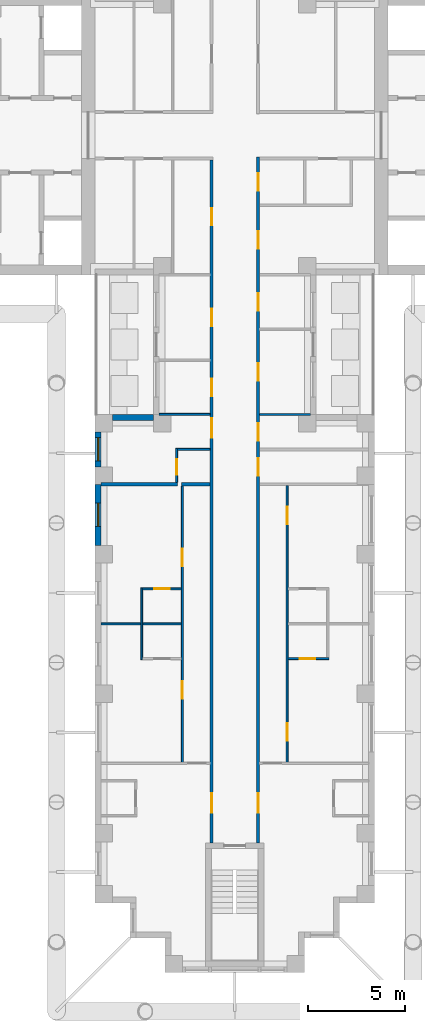
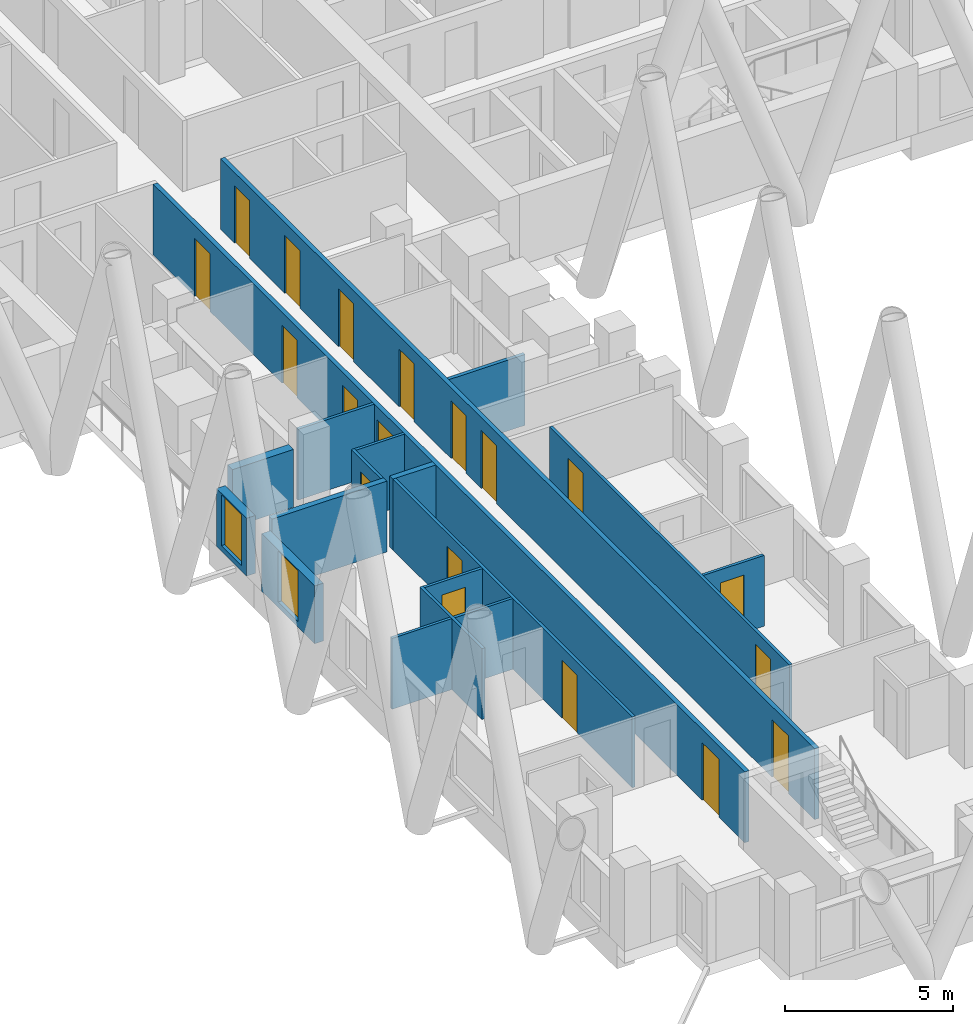
# One storey, part 5 of 17: 19 doors, 17 walls, 2 windows, 21 openings.
"""IFC4 building model written with IfcOpenShell, lengths in metres."""

from ifc_helpers import new_model, si_unit, direction, frame, frame_2d, origin, place, context, subcontext, project, spatial, rectangle, extrude, material, layer, layer_set, type_object, element, fill, save


model = new_model("IFC4")

# Units and contexts
model_context = context("Model", 3, precision=1e-05, world=origin(), true_north=direction((0.0, 1.0)))
body_context = subcontext(model_context, "Body", "Model", "MODEL_VIEW")
ifc_project = project(units=[si_unit("LENGTHUNIT", "METRE"), si_unit("AREAUNIT", "SQUARE_METRE"), si_unit("VOLUMEUNIT", "CUBIC_METRE"), si_unit("PLANEANGLEUNIT", "RADIAN"), si_unit("MASSUNIT", "GRAM", prefix="KILO")], contexts=[model_context])

# Site, building, storey
site_placement = place(None, origin())
site = spatial("IfcSite", under=ifc_project, at=site_placement, CompositionType="ELEMENT")
building_placement = place(site_placement, origin())
building = spatial("IfcBuilding", under=site, at=building_placement, Name="Fustian Cross Tower", CompositionType="ELEMENT")
storey_placement = place(building_placement, frame((0.0, 0.0, 56.699951171875)))
storey = spatial("IfcBuildingStorey", under=building, at=storey_placement, Name="L17", CompositionType="ELEMENT", Elevation=56.699951171875)

# Wall, openings, doors
ifc_material_1 = material(Name="Plasterboard on steel stud", Category="steel")
ifc_layer_1 = layer(ifc_material_1, 0.14990234375)
ifc_layer_set_1 = layer_set([ifc_layer_1], Name="Plasterboard on steel stud")
wall_type_1 = type_object("IfcWallType", Name="COMPARTMENT WALL 150 EI 60", PredefinedType="PARTITIONING", material=ifc_layer_set_1)
wall_1_placement = place(storey_placement, frame((-1.199951171875, -36.5, 0.0), z_axis=(0.0, 0.0, 1.0), x_axis=(0.0, 1.0, 0.0)))
wall_1 = element("IfcWall", 1, at=wall_1_placement, inside=storey, type_object=wall_type_1, Name="Partition 46", PredefinedType="PARTITIONING", context=body_context, shape_type="SweptSolid", body=[
    extrude(rectangle(XDim=35.22509765625, YDim=0.14990234375, at=frame_2d((17.612548828125, 0.0))), origin(), (0.0, 0.0, 1.0), 2.574951171875),
])
opening_1_placement = place(wall_1_placement, frame((31.85009765625, 0.0, 0.0)))
opening_1 = element("IfcOpeningElement", 2, at=opening_1_placement, cuts=wall_1, Name="Opening D09009", PredefinedType="OPENING", context=body_context, shape_type="SweptSolid", body=[
    extrude(rectangle(XDim=0.89990234375, YDim=2.10009765625, at=frame_2d((0.449951171875, 1.050048828125))), frame((0.0, 0.0849609375, 0.0), z_axis=(0.0, -1.0, 0.0), x_axis=(1.0, 0.0, 0.0)), (0.0, 0.0, 1.0), 0.169921875),
])
opening_2_placement = place(wall_1_placement, frame((23.050048828125, 0.0, 0.0)))
opening_2 = element("IfcOpeningElement", 3, at=opening_2_placement, cuts=wall_1, Name="Opening D09064", PredefinedType="OPENING", context=body_context, shape_type="SweptSolid", body=[
    extrude(rectangle(XDim=0.89990234375, YDim=2.10009765625, at=frame_2d((0.449951171875, 1.050048828125))), frame((0.0, 0.0849609375, 0.0), z_axis=(0.0, -1.0, 0.0), x_axis=(1.0, 0.0, 0.0)), (0.0, 0.0, 1.0), 0.169921875),
])
opening_3_placement = place(wall_1_placement, frame((26.64990234375, 0.0, 0.0)))
opening_3 = element("IfcOpeningElement", 4, at=opening_3_placement, cuts=wall_1, Name="Opening D09065", PredefinedType="OPENING", context=body_context, shape_type="SweptSolid", body=[
    extrude(rectangle(XDim=0.89990234375, YDim=2.10009765625, at=frame_2d((0.449951171875, 1.050048828125))), frame((0.0, 0.0849609375, 0.0), z_axis=(0.0, -1.0, 0.0), x_axis=(1.0, 0.0, 0.0)), (0.0, 0.0, 1.0), 0.169921875),
])
opening_4_placement = place(wall_1_placement, frame((20.89990234375, 0.0, 0.0)))
opening_4 = element("IfcOpeningElement", 5, at=opening_4_placement, cuts=wall_1, Name="Opening D09067", PredefinedType="OPENING", context=body_context, shape_type="SweptSolid", body=[
    extrude(rectangle(XDim=1.0, YDim=2.10009765625, at=frame_2d((0.5, 1.050048828125))), frame((0.0, 0.0849609375, 0.0), z_axis=(0.0, -1.0, 0.0), x_axis=(1.0, 0.0, 0.0)), (0.0, 0.0, 1.0), 0.169921875),
])
opening_5_placement = place(wall_1_placement, frame((1.550048828125, 0.0, 0.0)))
opening_5 = element("IfcOpeningElement", 6, at=opening_5_placement, cuts=wall_1, Name="Opening D09069", PredefinedType="OPENING", context=body_context, shape_type="SweptSolid", body=[
    extrude(rectangle(XDim=1.0, YDim=2.10009765625, at=frame_2d((0.5, 1.050048828125))), frame((0.0, 0.0849609375, 0.0), z_axis=(0.0, -1.0, 0.0), x_axis=(1.0, 0.0, 0.0)), (0.0, 0.0, 1.0), 0.169921875),
])
ifc_material_2 = material(Name="Timber fire door set", Category="wood")
door_type_1 = type_object("IfcDoorType", Name="FIRE SWING DOOR 1000 FD30S", OperationType="SINGLE_SWING_LEFT", PredefinedType="DOOR", material=ifc_material_2)
door_1_placement = place(opening_4_placement, origin())
door_1 = element("IfcDoor", 7, at=door_1_placement, inside=storey, type_object=door_type_1, Name="Door D09067", OperationType="SINGLE_SWING_RIGHT", OverallHeight=2.10009765625, OverallWidth=1.0, PredefinedType="DOOR", context=body_context, shape_type="SweptSolid", body=[
    extrude(rectangle(XDim=1.0, YDim=2.10009765625, at=frame_2d((0.5, 1.050048828125))), frame((0.0, 0.02490234375, 0.0), z_axis=(0.0, -1.0, 0.0), x_axis=(1.0, 0.0, 0.0)), (0.0, 0.0, 1.0), 0.050048828125),
])
fill(opening_4, door_1)
door_2_placement = place(opening_5_placement, origin())
door_2 = element("IfcDoor", 8, at=door_2_placement, inside=storey, type_object=door_type_1, Name="Door D09069", OperationType="SINGLE_SWING_RIGHT", OverallHeight=2.10009765625, OverallWidth=1.0, PredefinedType="DOOR", context=body_context, shape_type="SweptSolid", body=[
    extrude(rectangle(XDim=1.0, YDim=2.10009765625, at=frame_2d((0.5, 1.050048828125))), frame((0.0, 0.02490234375, 0.0), z_axis=(0.0, -1.0, 0.0), x_axis=(1.0, 0.0, 0.0)), (0.0, 0.0, 1.0), 0.050048828125),
])
fill(opening_5, door_2)
ifc_material_3 = material(Name="Timber fire door set", Category="wood")
door_type_2 = type_object("IfcDoorType", Name="FIRE SWING DOOR 900 FD30S", OperationType="SINGLE_SWING_LEFT", PredefinedType="DOOR", material=ifc_material_3)
door_3_placement = place(opening_1_placement, origin())
door_3 = element("IfcDoor", 9, at=door_3_placement, inside=storey, type_object=door_type_2, Name="Door D09009", OperationType="SINGLE_SWING_LEFT", OverallHeight=2.10009765625, OverallWidth=0.89990234375, PredefinedType="DOOR", context=body_context, shape_type="SweptSolid", body=[
    extrude(rectangle(XDim=0.89990234375, YDim=2.10009765625, at=frame_2d((0.449951171875, 1.050048828125))), frame((0.0, 0.02490234375, 0.0), z_axis=(0.0, -1.0, 0.0), x_axis=(1.0, 0.0, 0.0)), (0.0, 0.0, 1.0), 0.050048828125),
])
fill(opening_1, door_3)
door_4_placement = place(opening_2_placement, origin())
door_4 = element("IfcDoor", 10, at=door_4_placement, inside=storey, type_object=door_type_2, Name="Door D09064", OperationType="SINGLE_SWING_LEFT", OverallHeight=2.10009765625, OverallWidth=0.89990234375, PredefinedType="DOOR", context=body_context, shape_type="SweptSolid", body=[
    extrude(rectangle(XDim=0.89990234375, YDim=2.10009765625, at=frame_2d((0.449951171875, 1.050048828125))), frame((0.0, 0.02490234375, 0.0), z_axis=(0.0, -1.0, 0.0), x_axis=(1.0, 0.0, 0.0)), (0.0, 0.0, 1.0), 0.050048828125),
])
fill(opening_2, door_4)
door_5_placement = place(opening_3_placement, origin())
door_5 = element("IfcDoor", 11, at=door_5_placement, inside=storey, type_object=door_type_2, Name="Door D09065", OperationType="SINGLE_SWING_LEFT", OverallHeight=2.10009765625, OverallWidth=0.89990234375, PredefinedType="DOOR", context=body_context, shape_type="SweptSolid", body=[
    extrude(rectangle(XDim=0.89990234375, YDim=2.10009765625, at=frame_2d((0.449951171875, 1.050048828125))), frame((0.0, 0.02490234375, 0.0), z_axis=(0.0, -1.0, 0.0), x_axis=(1.0, 0.0, 0.0)), (0.0, 0.0, 1.0), 0.050048828125),
])
fill(opening_3, door_5)

wall_2_placement = place(storey_placement, frame((1.199951171875, -36.5, 0.0), z_axis=(0.0, 0.0, 1.0), x_axis=(0.0, 1.0, 0.0)))
wall_2 = element("IfcWall", 12, at=wall_2_placement, inside=storey, type_object=wall_type_1, Name="Partition 48", PredefinedType="PARTITIONING", context=body_context, shape_type="SweptSolid", body=[
    extrude(rectangle(XDim=35.375, YDim=0.14990234375, at=frame_2d((17.6875, 0.0))), origin(), (0.0, 0.0, 1.0), 2.574951171875),
])
opening_6_placement = place(wall_2_placement, frame((33.64990234375, 0.0, 0.0)))
opening_6 = element("IfcOpeningElement", 13, at=opening_6_placement, cuts=wall_2, Name="Opening D09006", PredefinedType="OPENING", context=body_context, shape_type="SweptSolid", body=[
    extrude(rectangle(XDim=0.89990234375, YDim=2.10009765625, at=frame_2d((0.449951171875, 1.050048828125))), frame((0.0, 0.0849609375, 0.0), z_axis=(0.0, -1.0, 0.0), x_axis=(1.0, 0.0, 0.0)), (0.0, 0.0, 1.0), 0.169921875),
])
opening_7_placement = place(wall_2_placement, frame((30.64990234375, 0.0, 0.0)))
opening_7 = element("IfcOpeningElement", 14, at=opening_7_placement, cuts=wall_2, Name="Opening D09008", PredefinedType="OPENING", context=body_context, shape_type="SweptSolid", body=[
    extrude(rectangle(XDim=0.89990234375, YDim=2.10009765625, at=frame_2d((0.449951171875, 1.050048828125))), frame((0.0, 0.0849609375, 0.0), z_axis=(0.0, -1.0, 0.0), x_axis=(1.0, 0.0, 0.0)), (0.0, 0.0, 1.0), 0.169921875),
])
opening_8_placement = place(wall_2_placement, frame((27.449951171875, 0.0, 0.0)))
opening_8 = element("IfcOpeningElement", 15, at=opening_8_placement, cuts=wall_2, Name="Opening D09053", PredefinedType="OPENING", context=body_context, shape_type="SweptSolid", body=[
    extrude(rectangle(XDim=0.89990234375, YDim=2.10009765625, at=frame_2d((0.449951171875, 1.050048828125))), frame((0.0, 0.0849609375, 0.0), z_axis=(0.0, -1.0, 0.0), x_axis=(1.0, 0.0, 0.0)), (0.0, 0.0, 1.0), 0.169921875),
])
opening_9_placement = place(wall_2_placement, frame((23.85009765625, 0.0, 0.0)))
opening_9 = element("IfcOpeningElement", 16, at=opening_9_placement, cuts=wall_2, Name="Opening D09054", PredefinedType="OPENING", context=body_context, shape_type="SweptSolid", body=[
    extrude(rectangle(XDim=0.89990234375, YDim=2.10009765625, at=frame_2d((0.449951171875, 1.050048828125))), frame((0.0, 0.0849609375, 0.0), z_axis=(0.0, -1.0, 0.0), x_axis=(1.0, 0.0, 0.0)), (0.0, 0.0, 1.0), 0.169921875),
])
opening_10_placement = place(wall_2_placement, frame((20.75, 0.0, 0.0)))
opening_10 = element("IfcOpeningElement", 17, at=opening_10_placement, cuts=wall_2, Name="Opening D09055", PredefinedType="OPENING", context=body_context, shape_type="SweptSolid", body=[
    extrude(rectangle(XDim=0.89990234375, YDim=2.10009765625, at=frame_2d((0.449951171875, 1.050048828125))), frame((0.0, 0.0849609375, 0.0), z_axis=(0.0, -1.0, 0.0), x_axis=(1.0, 0.0, 0.0)), (0.0, 0.0, 1.0), 0.169921875),
])
opening_11_placement = place(wall_2_placement, frame((18.949951171875, 0.0, 0.0)))
opening_11 = element("IfcOpeningElement", 18, at=opening_11_placement, cuts=wall_2, Name="Opening D09056", PredefinedType="OPENING", context=body_context, shape_type="SweptSolid", body=[
    extrude(rectangle(XDim=0.89990234375, YDim=2.10009765625, at=frame_2d((0.449951171875, 1.050048828125))), frame((0.0, 0.0849609375, 0.0), z_axis=(0.0, -1.0, 0.0), x_axis=(1.0, 0.0, 0.0)), (0.0, 0.0, 1.0), 0.169921875),
])
opening_12_placement = place(wall_2_placement, frame((1.550048828125, 0.0, 0.0)))
opening_12 = element("IfcOpeningElement", 19, at=opening_12_placement, cuts=wall_2, Name="Opening D09058", PredefinedType="OPENING", context=body_context, shape_type="SweptSolid", body=[
    extrude(rectangle(XDim=1.0, YDim=2.10009765625, at=frame_2d((0.5, 1.050048828125))), frame((0.0, 0.0849609375, 0.0), z_axis=(0.0, -1.0, 0.0), x_axis=(1.0, 0.0, 0.0)), (0.0, 0.0, 1.0), 0.169921875),
])
door_6_placement = place(opening_12_placement, frame((1.0, 0.0, 0.0), z_axis=(0.0, 0.0, 1.0), x_axis=(-1.0, 0.0, 0.0)))
door_6 = element("IfcDoor", 20, at=door_6_placement, inside=storey, type_object=door_type_1, Name="Door D09058", OperationType="SINGLE_SWING_LEFT", OverallHeight=2.10009765625, OverallWidth=1.0, PredefinedType="DOOR", context=body_context, shape_type="SweptSolid", body=[
    extrude(rectangle(XDim=1.0, YDim=2.10009765625, at=frame_2d((0.5, 1.050048828125))), frame((0.0, 0.02490234375, 0.0), z_axis=(0.0, -1.0, 0.0), x_axis=(1.0, 0.0, 0.0)), (0.0, 0.0, 1.0), 0.050048828125),
])
fill(opening_12, door_6)
door_7_placement = place(opening_6_placement, frame((0.89990234375, 0.0, 0.0), z_axis=(0.0, 0.0, 1.0), x_axis=(-1.0, 0.0, 0.0)))
door_7 = element("IfcDoor", 21, at=door_7_placement, inside=storey, type_object=door_type_2, Name="Door D09006", OperationType="SINGLE_SWING_RIGHT", OverallHeight=2.10009765625, OverallWidth=0.89990234375, PredefinedType="DOOR", context=body_context, shape_type="SweptSolid", body=[
    extrude(rectangle(XDim=0.89990234375, YDim=2.10009765625, at=frame_2d((0.449951171875, 1.050048828125))), frame((0.0, 0.02490234375, 0.0), z_axis=(0.0, -1.0, 0.0), x_axis=(1.0, 0.0, 0.0)), (0.0, 0.0, 1.0), 0.050048828125),
])
fill(opening_6, door_7)
door_8_placement = place(opening_7_placement, frame((0.89990234375, 0.0, 0.0), z_axis=(0.0, 0.0, 1.0), x_axis=(-1.0, 0.0, 0.0)))
door_8 = element("IfcDoor", 22, at=door_8_placement, inside=storey, type_object=door_type_2, Name="Door D09008", OperationType="SINGLE_SWING_RIGHT", OverallHeight=2.10009765625, OverallWidth=0.89990234375, PredefinedType="DOOR", context=body_context, shape_type="SweptSolid", body=[
    extrude(rectangle(XDim=0.89990234375, YDim=2.10009765625, at=frame_2d((0.449951171875, 1.050048828125))), frame((0.0, 0.02490234375, 0.0), z_axis=(0.0, -1.0, 0.0), x_axis=(1.0, 0.0, 0.0)), (0.0, 0.0, 1.0), 0.050048828125),
])
fill(opening_7, door_8)
door_9_placement = place(opening_8_placement, frame((0.89990234375, 0.0, 0.0), z_axis=(0.0, 0.0, 1.0), x_axis=(-1.0, 0.0, 0.0)))
door_9 = element("IfcDoor", 23, at=door_9_placement, inside=storey, type_object=door_type_2, Name="Door D09053", OperationType="SINGLE_SWING_RIGHT", OverallHeight=2.10009765625, OverallWidth=0.89990234375, PredefinedType="DOOR", context=body_context, shape_type="SweptSolid", body=[
    extrude(rectangle(XDim=0.89990234375, YDim=2.10009765625, at=frame_2d((0.449951171875, 1.050048828125))), frame((0.0, 0.02490234375, 0.0), z_axis=(0.0, -1.0, 0.0), x_axis=(1.0, 0.0, 0.0)), (0.0, 0.0, 1.0), 0.050048828125),
])
fill(opening_8, door_9)
door_10_placement = place(opening_9_placement, frame((0.89990234375, 0.0, 0.0), z_axis=(0.0, 0.0, 1.0), x_axis=(-1.0, 0.0, 0.0)))
door_10 = element("IfcDoor", 24, at=door_10_placement, inside=storey, type_object=door_type_2, Name="Door D09054", OperationType="SINGLE_SWING_RIGHT", OverallHeight=2.10009765625, OverallWidth=0.89990234375, PredefinedType="DOOR", context=body_context, shape_type="SweptSolid", body=[
    extrude(rectangle(XDim=0.89990234375, YDim=2.10009765625, at=frame_2d((0.449951171875, 1.050048828125))), frame((0.0, 0.02490234375, 0.0), z_axis=(0.0, -1.0, 0.0), x_axis=(1.0, 0.0, 0.0)), (0.0, 0.0, 1.0), 0.050048828125),
])
fill(opening_9, door_10)
door_11_placement = place(opening_10_placement, frame((0.89990234375, 0.0, 0.0), z_axis=(0.0, 0.0, 1.0), x_axis=(-1.0, 0.0, 0.0)))
door_11 = element("IfcDoor", 25, at=door_11_placement, inside=storey, type_object=door_type_2, Name="Door D09055", OperationType="SINGLE_SWING_LEFT", OverallHeight=2.10009765625, OverallWidth=0.89990234375, PredefinedType="DOOR", context=body_context, shape_type="SweptSolid", body=[
    extrude(rectangle(XDim=0.89990234375, YDim=2.10009765625, at=frame_2d((0.449951171875, 1.050048828125))), frame((0.0, 0.02490234375, 0.0), z_axis=(0.0, -1.0, 0.0), x_axis=(1.0, 0.0, 0.0)), (0.0, 0.0, 1.0), 0.050048828125),
])
fill(opening_10, door_11)
door_12_placement = place(opening_11_placement, frame((0.89990234375, 0.0, 0.0), z_axis=(0.0, 0.0, 1.0), x_axis=(-1.0, 0.0, 0.0)))
door_12 = element("IfcDoor", 26, at=door_12_placement, inside=storey, type_object=door_type_2, Name="Door D09056", OperationType="SINGLE_SWING_LEFT", OverallHeight=2.10009765625, OverallWidth=0.89990234375, PredefinedType="DOOR", context=body_context, shape_type="SweptSolid", body=[
    extrude(rectangle(XDim=0.89990234375, YDim=2.10009765625, at=frame_2d((0.449951171875, 1.050048828125))), frame((0.0, 0.02490234375, 0.0), z_axis=(0.0, -1.0, 0.0), x_axis=(1.0, 0.0, 0.0)), (0.0, 0.0, 1.0), 0.050048828125),
])
fill(opening_11, door_12)

# Walls
ifc_material_4 = material(Name="Plasterboard on steel stud", Category="steel")
ifc_layer_2 = layer(ifc_material_4, 0.10009765625)
ifc_layer_set_2 = layer_set([ifc_layer_2], Name="Plasterboard on steel stud")
wall_type_2 = type_object("IfcWallType", Name="PARTITION 100 STUD", PredefinedType="PARTITIONING", material=ifc_layer_set_2)
wall_3_placement = place(storey_placement, frame((-6.89990234375, -25.199951171875, 0.0), z_axis=(0.0, 0.0, 1.0), x_axis=(1.0, 0.0, 0.0)))
element("IfcWall", 27, at=wall_3_placement, inside=storey, type_object=wall_type_2, Name="Partition 17", PredefinedType="PARTITIONING", context=body_context, shape_type="SweptSolid", body=[
    extrude(rectangle(XDim=4.14990234375, YDim=0.10009765625, at=frame_2d((2.074951171875, 0.0))), origin(), (0.0, 0.0, 1.0), 2.574951171875),
])
wall_4_placement = place(storey_placement, frame((-4.800048828125, -27.050048828125, 0.0), z_axis=(0.0, 0.0, 1.0), x_axis=(0.0, 1.0, 0.0)))
element("IfcWall", 28, at=wall_4_placement, inside=storey, type_object=wall_type_2, Name="Partition 25", PredefinedType="PARTITIONING", context=body_context, shape_type="SweptSolid", body=[
    extrude(rectangle(XDim=3.699951171875, YDim=0.10009765625, at=frame_2d((1.85009765625, 0.0))), origin(), (0.0, 0.0, 1.0), 2.574951171875),
])

# Wall, opening, door
wall_5_placement = place(storey_placement, frame((-4.75, -23.39990234375, 0.0), z_axis=(0.0, 0.0, 1.0), x_axis=(1.0, 0.0, 0.0)))
wall_5 = element("IfcWall", 29, at=wall_5_placement, inside=storey, type_object=wall_type_2, Name="Partition 27", PredefinedType="PARTITIONING", context=body_context, shape_type="SweptSolid", body=[
    extrude(rectangle(XDim=2.0, YDim=0.10009765625, at=frame_2d((1.0, 0.0))), origin(), (0.0, 0.0, 1.0), 2.574951171875),
])
opening_13_placement = place(wall_5_placement, frame((0.60009765625, 0.0, 0.0)))
opening_13 = element("IfcOpeningElement", 30, at=opening_13_placement, cuts=wall_5, Name="Opening D09073", PredefinedType="OPENING", context=body_context, shape_type="SweptSolid", body=[
    extrude(rectangle(XDim=0.800048828125, YDim=2.10009765625, at=frame_2d((0.39990234375, 1.050048828125))), frame((0.0, 0.06005859375, 0.0), z_axis=(0.0, -1.0, 0.0), x_axis=(1.0, 0.0, 0.0)), (0.0, 0.0, 1.0), 0.1201171875),
])
ifc_material_5 = material(Name="Painted timber", Category="wood")
door_type_3 = type_object("IfcDoorType", Name="SWING DOOR 800", OperationType="SINGLE_SWING_LEFT", PredefinedType="DOOR", material=ifc_material_5)
door_13_placement = place(opening_13_placement, frame((0.800048828125, 0.0, 0.0), z_axis=(0.0, 0.0, 1.0), x_axis=(-1.0, 0.0, 0.0)))
door_13 = element("IfcDoor", 31, at=door_13_placement, inside=storey, type_object=door_type_3, Name="Door D09073", OperationType="SINGLE_SWING_RIGHT", OverallHeight=2.10009765625, OverallWidth=0.800048828125, PredefinedType="DOOR", context=body_context, shape_type="SweptSolid", body=[
    extrude(rectangle(XDim=0.800048828125, YDim=2.10009765625, at=frame_2d((0.39990234375, 1.050048828125))), frame((0.0, 0.02490234375, 0.0), z_axis=(0.0, -1.0, 0.0), x_axis=(1.0, 0.0, 0.0)), (0.0, 0.0, 1.0), 0.050048828125),
])
fill(opening_13, door_13)

# Wall
wall_6_placement = place(storey_placement, frame((-3.89990234375, -14.39990234375, 0.0), z_axis=(0.0, 0.0, 1.0), x_axis=(1.0, 0.0, 0.0)))
element("IfcWall", 32, at=wall_6_placement, inside=storey, type_object=wall_type_2, Name="Partition 28", PredefinedType="PARTITIONING", context=body_context, shape_type="SweptSolid", body=[
    extrude(rectangle(XDim=2.625, YDim=0.10009765625, at=frame_2d((1.3125, 0.0))), origin(), (0.0, 0.0, 1.0), 2.574951171875),
])

# Wall, opening, door
wall_7_placement = place(storey_placement, frame((-3.0, -17.89990234375, 0.0), z_axis=(0.0, 0.0, 1.0), x_axis=(0.0, 1.0, 0.0)))
wall_7 = element("IfcWall", 33, at=wall_7_placement, inside=storey, type_object=wall_type_2, Name="Partition 42", PredefinedType="PARTITIONING", context=body_context, shape_type="SweptSolid", body=[
    extrude(rectangle(XDim=1.75, YDim=0.10009765625, at=frame_2d((0.875, 0.0))), origin(), (0.0, 0.0, 1.0), 2.574951171875),
])
opening_14_placement = place(wall_7_placement, frame((0.39990234375, 0.0, 0.0)))
opening_14 = element("IfcOpeningElement", 34, at=opening_14_placement, cuts=wall_7, Name="Opening D09066", PredefinedType="OPENING", context=body_context, shape_type="SweptSolid", body=[
    extrude(rectangle(XDim=0.800048828125, YDim=2.10009765625, at=frame_2d((0.39990234375, 1.050048828125))), frame((0.0, 0.06005859375, 0.0), z_axis=(0.0, -1.0, 0.0), x_axis=(1.0, 0.0, 0.0)), (0.0, 0.0, 1.0), 0.1201171875),
])
door_14_placement = place(opening_14_placement, frame((0.800048828125, 0.0, 0.0), z_axis=(0.0, 0.0, 1.0), x_axis=(-1.0, 0.0, 0.0)))
door_14 = element("IfcDoor", 35, at=door_14_placement, inside=storey, type_object=door_type_3, Name="Door D09066", OperationType="SINGLE_SWING_LEFT", OverallHeight=2.10009765625, OverallWidth=0.800048828125, PredefinedType="DOOR", context=body_context, shape_type="SweptSolid", body=[
    extrude(rectangle(XDim=0.800048828125, YDim=2.10009765625, at=frame_2d((0.39990234375, 1.050048828125))), frame((0.0, 0.02490234375, 0.0), z_axis=(0.0, -1.0, 0.0), x_axis=(1.0, 0.0, 0.0)), (0.0, 0.0, 1.0), 0.050048828125),
])
fill(opening_14, door_14)

# Wall
wall_8_placement = place(storey_placement, frame((-2.949951171875, -16.199951171875, 0.0), z_axis=(0.0, 0.0, 1.0), x_axis=(1.0, 0.0, 0.0)))
element("IfcWall", 36, at=wall_8_placement, inside=storey, type_object=wall_type_2, Name="Partition 43", PredefinedType="PARTITIONING", context=body_context, shape_type="SweptSolid", body=[
    extrude(rectangle(XDim=1.675048828125, YDim=0.10009765625, at=frame_2d((0.83740234375, 0.0))), origin(), (0.0, 0.0, 1.0), 2.574951171875),
])

# Wall, openings, doors
wall_9_placement = place(storey_placement, frame((-2.699951171875, -32.35009765625, 0.0), z_axis=(0.0, 0.0, 1.0), x_axis=(0.0, 1.0, 0.0)))
wall_9 = element("IfcWall", 37, at=wall_9_placement, inside=storey, type_object=wall_type_2, Name="Partition 44", PredefinedType="PARTITIONING", context=body_context, shape_type="SweptSolid", body=[
    extrude(rectangle(XDim=14.25, YDim=0.10009765625, at=frame_2d((7.125, 0.0))), origin(), (0.0, 0.0, 1.0), 2.574951171875),
])
opening_15_placement = place(wall_9_placement, frame((3.280029296875, 0.0, 0.0)))
opening_15 = element("IfcOpeningElement", 38, at=opening_15_placement, cuts=wall_9, Name="Opening D09070", PredefinedType="OPENING", context=body_context, shape_type="SweptSolid", body=[
    extrude(rectangle(XDim=0.89990234375, YDim=2.10009765625, at=frame_2d((0.449951171875, 1.050048828125))), frame((0.0, 0.06005859375, 0.0), z_axis=(0.0, -1.0, 0.0), x_axis=(1.0, 0.0, 0.0)), (0.0, 0.0, 1.0), 0.1201171875),
])
opening_16_placement = place(wall_9_placement, frame((10.119873046875, 0.0, 0.0)))
opening_16 = element("IfcOpeningElement", 39, at=opening_16_placement, cuts=wall_9, Name="Opening D09071", PredefinedType="OPENING", context=body_context, shape_type="SweptSolid", body=[
    extrude(rectangle(XDim=0.89990234375, YDim=2.10009765625, at=frame_2d((0.449951171875, 1.050048828125))), frame((0.0, 0.06005859375, 0.0), z_axis=(0.0, -1.0, 0.0), x_axis=(1.0, 0.0, 0.0)), (0.0, 0.0, 1.0), 0.1201171875),
])
ifc_material_6 = material(Name="Painted timber", Category="wood")
door_type_4 = type_object("IfcDoorType", Name="SWING DOOR 900", OperationType="SINGLE_SWING_LEFT", PredefinedType="DOOR", material=ifc_material_6)
door_15_placement = place(opening_15_placement, frame((0.89990234375, 0.0, 0.0), z_axis=(0.0, 0.0, 1.0), x_axis=(-1.0, 0.0, 0.0)))
door_15 = element("IfcDoor", 40, at=door_15_placement, inside=storey, type_object=door_type_4, Name="Door D09070", OperationType="SINGLE_SWING_RIGHT", OverallHeight=2.10009765625, OverallWidth=0.89990234375, PredefinedType="DOOR", context=body_context, shape_type="SweptSolid", body=[
    extrude(rectangle(XDim=0.89990234375, YDim=2.10009765625, at=frame_2d((0.449951171875, 1.050048828125))), frame((0.0, 0.02490234375, 0.0), z_axis=(0.0, -1.0, 0.0), x_axis=(1.0, 0.0, 0.0)), (0.0, 0.0, 1.0), 0.050048828125),
])
fill(opening_15, door_15)
door_16_placement = place(opening_16_placement, frame((0.89990234375, 0.0, 0.0), z_axis=(0.0, 0.0, 1.0), x_axis=(-1.0, 0.0, 0.0)))
door_16 = element("IfcDoor", 41, at=door_16_placement, inside=storey, type_object=door_type_4, Name="Door D09071", OperationType="SINGLE_SWING_LEFT", OverallHeight=2.10009765625, OverallWidth=0.89990234375, PredefinedType="DOOR", context=body_context, shape_type="SweptSolid", body=[
    extrude(rectangle(XDim=0.89990234375, YDim=2.10009765625, at=frame_2d((0.449951171875, 1.050048828125))), frame((0.0, 0.02490234375, 0.0), z_axis=(0.0, -1.0, 0.0), x_axis=(1.0, 0.0, 0.0)), (0.0, 0.0, 1.0), 0.050048828125),
])
fill(opening_16, door_16)

wall_10_placement = place(storey_placement, frame((2.699951171875, -32.35009765625, 0.0), z_axis=(0.0, 0.0, 1.0), x_axis=(0.0, 1.0, 0.0)))
wall_10 = element("IfcWall", 42, at=wall_10_placement, inside=storey, type_object=wall_type_2, Name="Partition 64", PredefinedType="PARTITIONING", context=body_context, shape_type="SweptSolid", body=[
    extrude(rectangle(XDim=14.275146484375, YDim=0.10009765625, at=frame_2d((7.1376953125, 0.0))), origin(), (0.0, 0.0, 1.0), 2.574951171875),
])
opening_17_placement = place(wall_10_placement, frame((1.1201171875, 0.0, 0.0)))
opening_17 = element("IfcOpeningElement", 43, at=opening_17_placement, cuts=wall_10, Name="Opening D09060", PredefinedType="OPENING", context=body_context, shape_type="SweptSolid", body=[
    extrude(rectangle(XDim=0.89990234375, YDim=2.10009765625, at=frame_2d((0.449951171875, 1.050048828125))), frame((0.0, 0.06005859375, 0.0), z_axis=(0.0, -1.0, 0.0), x_axis=(1.0, 0.0, 0.0)), (0.0, 0.0, 1.0), 0.1201171875),
])
opening_18_placement = place(wall_10_placement, frame((12.280029296875, 0.0, 0.0)))
opening_18 = element("IfcOpeningElement", 44, at=opening_18_placement, cuts=wall_10, Name="Opening D09061", PredefinedType="OPENING", context=body_context, shape_type="SweptSolid", body=[
    extrude(rectangle(XDim=0.89990234375, YDim=2.10009765625, at=frame_2d((0.449951171875, 1.050048828125))), frame((0.0, 0.06005859375, 0.0), z_axis=(0.0, -1.0, 0.0), x_axis=(1.0, 0.0, 0.0)), (0.0, 0.0, 1.0), 0.1201171875),
])
door_17_placement = place(opening_17_placement, origin())
door_17 = element("IfcDoor", 45, at=door_17_placement, inside=storey, type_object=door_type_4, Name="Door D09060", OperationType="SINGLE_SWING_LEFT", OverallHeight=2.10009765625, OverallWidth=0.89990234375, PredefinedType="DOOR", context=body_context, shape_type="SweptSolid", body=[
    extrude(rectangle(XDim=0.89990234375, YDim=2.10009765625, at=frame_2d((0.449951171875, 1.050048828125))), frame((0.0, 0.02490234375, 0.0), z_axis=(0.0, -1.0, 0.0), x_axis=(1.0, 0.0, 0.0)), (0.0, 0.0, 1.0), 0.050048828125),
])
fill(opening_17, door_17)
door_18_placement = place(opening_18_placement, origin())
door_18 = element("IfcDoor", 46, at=door_18_placement, inside=storey, type_object=door_type_4, Name="Door D09061", OperationType="SINGLE_SWING_RIGHT", OverallHeight=2.10009765625, OverallWidth=0.89990234375, PredefinedType="DOOR", context=body_context, shape_type="SweptSolid", body=[
    extrude(rectangle(XDim=0.89990234375, YDim=2.10009765625, at=frame_2d((0.449951171875, 1.050048828125))), frame((0.0, 0.02490234375, 0.0), z_axis=(0.0, -1.0, 0.0), x_axis=(1.0, 0.0, 0.0)), (0.0, 0.0, 1.0), 0.050048828125),
])
fill(opening_18, door_18)

# Wall, opening, door
wall_11_placement = place(storey_placement, frame((2.75, -27.0, 0.0), z_axis=(0.0, 0.0, 1.0), x_axis=(1.0, 0.0, 0.0)))
wall_11 = element("IfcWall", 47, at=wall_11_placement, inside=storey, type_object=wall_type_2, Name="Partition 65", PredefinedType="PARTITIONING", context=body_context, shape_type="SweptSolid", body=[
    extrude(rectangle(XDim=2.10009765625, YDim=0.10009765625, at=frame_2d((1.050048828125, 0.0))), origin(), (0.0, 0.0, 1.0), 2.574951171875),
])
opening_19_placement = place(wall_11_placement, frame((0.60009765625, 0.0, 0.0)))
opening_19 = element("IfcOpeningElement", 48, at=opening_19_placement, cuts=wall_11, Name="Opening D09063", PredefinedType="OPENING", context=body_context, shape_type="SweptSolid", body=[
    extrude(rectangle(XDim=0.800048828125, YDim=2.10009765625, at=frame_2d((0.39990234375, 1.050048828125))), frame((0.0, 0.06005859375, 0.0), z_axis=(0.0, -1.0, 0.0), x_axis=(1.0, 0.0, 0.0)), (0.0, 0.0, 1.0), 0.1201171875),
])
door_19_placement = place(opening_19_placement, origin())
door_19 = element("IfcDoor", 49, at=door_19_placement, inside=storey, type_object=door_type_3, Name="Door D09063", OperationType="SINGLE_SWING_LEFT", OverallHeight=2.10009765625, OverallWidth=0.800048828125, PredefinedType="DOOR", context=body_context, shape_type="SweptSolid", body=[
    extrude(rectangle(XDim=0.800048828125, YDim=2.10009765625, at=frame_2d((0.39990234375, 1.050048828125))), frame((0.0, 0.02490234375, 0.0), z_axis=(0.0, -1.0, 0.0), x_axis=(1.0, 0.0, 0.0)), (0.0, 0.0, 1.0), 0.050048828125),
])
fill(opening_19, door_19)

# Walls
ifc_material_7 = material(Name="Plasterboard on steel stud", Category="steel")
ifc_layer_3 = layer(ifc_material_7, 0.199951171875)
ifc_layer_set_3 = layer_set([ifc_layer_3], Name="Plasterboard on steel stud")
wall_type_3 = type_object("IfcWallType", Name="PARTY WALL 200 EI 60", PredefinedType="PARTITIONING", material=ifc_layer_set_3)
wall_12_placement = place(storey_placement, frame((-6.89990234375, -18.0, 0.0), z_axis=(0.0, 0.0, 1.0), x_axis=(1.0, 0.0, 0.0)))
element("IfcWall", 50, at=wall_12_placement, inside=storey, type_object=wall_type_3, Name="Partition 18", PredefinedType="PARTITIONING", context=body_context, shape_type="SweptSolid", body=[
    extrude(rectangle(XDim=3.949951171875, YDim=0.199951171875, at=frame_2d((1.97509765625, 0.0))), origin(), (0.0, 0.0, 1.0), 2.574951171875),
])
wall_13_placement = place(storey_placement, frame((-2.75, -18.0, 0.0), z_axis=(0.0, 0.0, 1.0), x_axis=(1.0, 0.0, 0.0)))
element("IfcWall", 51, at=wall_13_placement, inside=storey, type_object=wall_type_3, Name="Partition 45", PredefinedType="PARTITIONING", context=body_context, shape_type="SweptSolid", body=[
    extrude(rectangle(XDim=1.47509765625, YDim=0.199951171875, at=frame_2d((0.737548828125, 0.0))), origin(), (0.0, 0.0, 1.0), 2.574951171875),
])
ifc_material_8 = material(Name="Plasterboard on steel stud", Category="steel")
ifc_layer_4 = layer(ifc_material_8, 0.125)
ifc_layer_set_4 = layer_set([ifc_layer_4], Name="Plasterboard on steel stud")
wall_type_4 = type_object("IfcWallType", Name="WET WALL 125 STUD", PredefinedType="PARTITIONING", material=ifc_layer_set_4)
wall_14_placement = place(storey_placement, frame((1.27490234375, -14.39990234375, 0.0), z_axis=(0.0, 0.0, 1.0), x_axis=(1.0, 0.0, 0.0)))
element("IfcWall", 52, at=wall_14_placement, inside=storey, type_object=wall_type_4, Name="Partition 52", PredefinedType="PARTITIONING", context=body_context, shape_type="SweptSolid", body=[
    extrude(rectangle(XDim=2.625, YDim=0.125, at=frame_2d((1.3125, 0.0))), origin(), (0.0, 0.0, 1.0), 2.574951171875),
])
ifc_material_9 = material(Name="Dark aluminium cladding on insulated backing wall", Category="aluminium")
ifc_layer_5 = layer(ifc_material_9, 0.300048828125)
ifc_layer_set_5 = layer_set([ifc_layer_5], Name="Dark aluminium cladding on insulated backing wall")
wall_type_5 = type_object("IfcWallType", Name="XW1 EXTERNAL WALL 300", PredefinedType="SOLIDWALL", material=ifc_layer_set_5)
wall_15_placement = place(storey_placement, frame((-4.199951171875, -14.550048828125, 0.0), z_axis=(0.0, 0.0, 1.0), x_axis=(-1.0, 0.0, 0.0)))
element("IfcWall", 53, at=wall_15_placement, inside=storey, type_object=wall_type_5, Name="External wall", PredefinedType="SOLIDWALL", context=body_context, shape_type="SweptSolid", body=[
    extrude(rectangle(XDim=2.10009765625, YDim=0.300048828125, at=frame_2d((1.050048828125, 0.0))), origin(), (0.0, 0.0, 1.0), 2.10009765625),
])

# Wall, opening, window
wall_16_placement = place(storey_placement, frame((-7.050048828125, -15.300048828125, 0.0), z_axis=(0.0, 0.0, 1.0), x_axis=(0.0, -1.0, 0.0)))
wall_16 = element("IfcWall", 54, at=wall_16_placement, inside=storey, type_object=wall_type_5, Name="External wall", PredefinedType="SOLIDWALL", context=body_context, shape_type="SweptSolid", body=[
    extrude(rectangle(XDim=1.800048828125, YDim=0.300048828125, at=frame_2d((0.89990234375, 0.0))), origin(), (0.0, 0.0, 1.0), 2.10009765625),
])
opening_20_placement = place(wall_16_placement, frame((0.300048828125, 0.0, 0.199951171875)))
opening_20 = element("IfcOpeningElement", 55, at=opening_20_placement, cuts=wall_16, Name="Opening WN3", PredefinedType="OPENING", context=body_context, shape_type="SweptSolid", body=[
    extrude(rectangle(XDim=1.199951171875, YDim=1.85009765625, at=frame_2d((0.60009765625, 0.925048828125))), frame((0.0, 0.159912109375, 0.0), z_axis=(0.0, -1.0, 0.0), x_axis=(1.0, 0.0, 0.0)), (0.0, 0.0, 1.0), 0.320068359375),
])
ifc_material_10 = material(Name="Dark anodised aluminium and double glazing", Category="aluminium")
window_type = type_object("IfcWindowType", Name="WN3 WINDOW 1200X1850", PartitioningType="SINGLE_PANEL", PredefinedType="WINDOW", material=ifc_material_10)
window_1_placement = place(opening_20_placement, origin())
window_1 = element("IfcWindow", 56, at=window_1_placement, inside=storey, type_object=window_type, Name="Window", OverallHeight=1.85009765625, OverallWidth=1.199951171875, PartitioningType="SINGLE_PANEL", PredefinedType="WINDOW", context=body_context, shape_type="SweptSolid", body=[
    extrude(rectangle(XDim=1.199951171875, YDim=1.85009765625, at=frame_2d((0.60009765625, 0.925048828125))), frame((0.0, 0.030029296875, 0.0), z_axis=(0.0, -1.0, 0.0), x_axis=(1.0, 0.0, 0.0)), (0.0, 0.0, 1.0), 0.06005859375),
])
fill(opening_20, window_1)

wall_17_placement = place(storey_placement, frame((-7.050048828125, -18.0, 0.0), z_axis=(0.0, 0.0, 1.0), x_axis=(0.0, -1.0, 0.0)))
wall_17 = element("IfcWall", 57, at=wall_17_placement, inside=storey, type_object=wall_type_5, Name="External wall", PredefinedType="SOLIDWALL", context=body_context, shape_type="SweptSolid", body=[
    extrude(rectangle(XDim=3.14990234375, YDim=0.300048828125, at=frame_2d((1.574951171875, 0.0))), origin(), (0.0, 0.0, 1.0), 2.10009765625),
])
opening_21_placement = place(wall_17_placement, frame((0.97509765625, 0.0, 0.199951171875)))
opening_21 = element("IfcOpeningElement", 58, at=opening_21_placement, cuts=wall_17, Name="Opening WN3", PredefinedType="OPENING", context=body_context, shape_type="SweptSolid", body=[
    extrude(rectangle(XDim=1.199951171875, YDim=1.85009765625, at=frame_2d((0.60009765625, 0.925048828125))), frame((0.0, 0.159912109375, 0.0), z_axis=(0.0, -1.0, 0.0), x_axis=(1.0, 0.0, 0.0)), (0.0, 0.0, 1.0), 0.320068359375),
])
window_2_placement = place(opening_21_placement, origin())
window_2 = element("IfcWindow", 59, at=window_2_placement, inside=storey, type_object=window_type, Name="Window", OverallHeight=1.85009765625, OverallWidth=1.199951171875, PartitioningType="SINGLE_PANEL", PredefinedType="WINDOW", context=body_context, shape_type="SweptSolid", body=[
    extrude(rectangle(XDim=1.199951171875, YDim=1.85009765625, at=frame_2d((0.60009765625, 0.925048828125))), frame((0.0, 0.030029296875, 0.0), z_axis=(0.0, -1.0, 0.0), x_axis=(1.0, 0.0, 0.0)), (0.0, 0.0, 1.0), 0.06005859375),
])
fill(opening_21, window_2)

save(model, "model.ifc")
